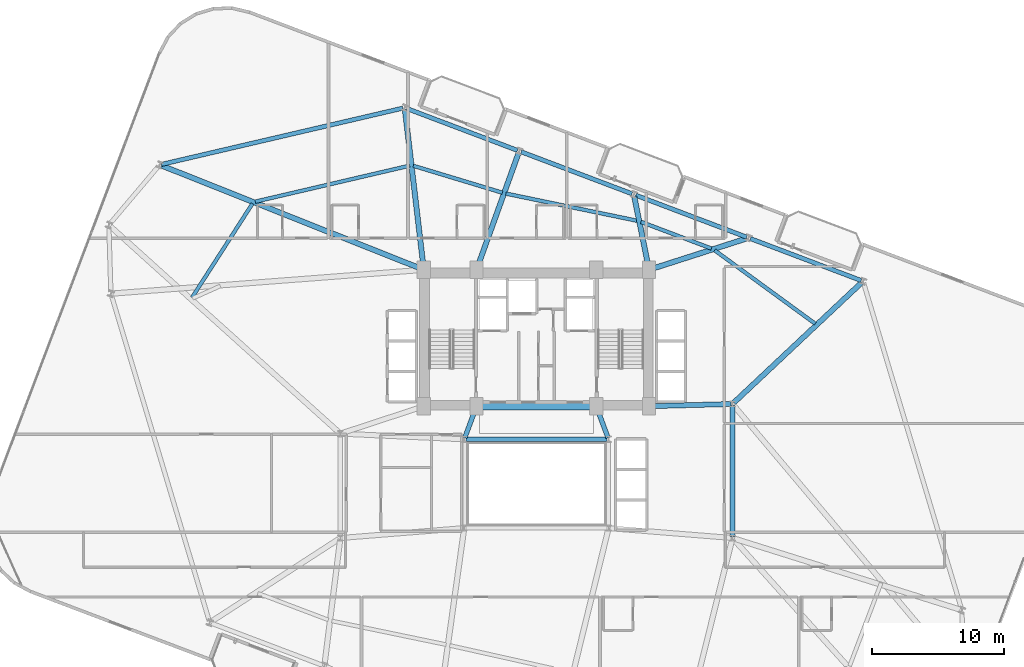
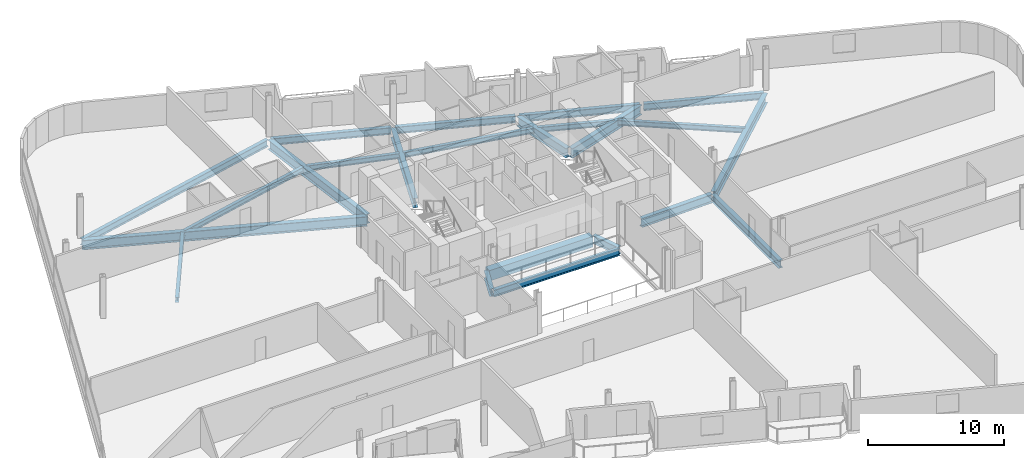
# One storey, part 9 of 25: 23 beams.
"""IFC4 building model written with IfcOpenShell, lengths in metres."""

from ifc_helpers import new_model, si_unit, direction, frame, origin, origin_2d, place, context, subcontext, project, spatial, rectangle, i_section, extrude, material, material_profile, profile_set, type_object, element, save


model = new_model("IFC4")

# Units and contexts
model_context = context("Model", 3, precision=1e-05, world=origin(), true_north=direction((0.0, 1.0)))
body_context = subcontext(model_context, "Body", "Model", "MODEL_VIEW")
ifc_project = project(units=[si_unit("LENGTHUNIT", "METRE"), si_unit("AREAUNIT", "SQUARE_METRE"), si_unit("VOLUMEUNIT", "CUBIC_METRE"), si_unit("PLANEANGLEUNIT", "RADIAN"), si_unit("MASSUNIT", "GRAM", prefix="KILO")], contexts=[model_context])

# Site, building, storey
site_placement = place(None, origin())
site = spatial("IfcSite", under=ifc_project, at=site_placement, CompositionType="ELEMENT")
building_placement = place(site_placement, origin())
building = spatial("IfcBuilding", under=site, at=building_placement, Name="Varnelok Gate Tower", CompositionType="ELEMENT")
storey_placement = place(building_placement, frame((0.0, 0.0, 91.0)))
storey = spatial("IfcBuildingStorey", under=building, at=storey_placement, Name="L22", CompositionType="ELEMENT", Elevation=91.0)

# Beams
ifc_material_1 = material(Name="Structural Steel ASTM A992 Grade 50", Category="steel")
ifc_material_profile_1 = material_profile(ifc_material_1, i_section(OverallWidth=0.280029296875, OverallDepth=0.462890625, WebThickness=0.0107421875, FlangeThickness=0.017333984375, FilletRadius=0.014892578125, at=origin_2d()), Name="W18X76")
ifc_profile_set_1 = profile_set([ifc_material_profile_1], Name="Structural Steel ASTM A992 Grade 50")
beam_type_1 = type_object("IfcBeamType", Name="BM-JST-W18X76", PredefinedType="JOIST", material=ifc_profile_set_1)
beam_1_placement = place(storey_placement, frame((60.24609375, 34.977783203125, -0.4814453125), z_axis=(-0.807571934506, 0.589769082437, 0.0), x_axis=(-0.589769082437, -0.807571934506, 0.0)))
element("IfcBeam", 1, at=beam_1_placement, inside=storey, type_object=beam_type_1, Name="L22 Sector Floor Joist 7", PredefinedType="JOIST", context=body_context, shape_type="SweptSolid", body=[
    extrude(i_section(OverallWidth=0.280029296875, OverallDepth=0.462890625, WebThickness=0.0107421875, FlangeThickness=0.017333984375, FilletRadius=0.014892578125, at=origin_2d()), origin(), (0.0, 0.0, 1.0), 9.39892578125),
])
beam_2_placement = place(storey_placement, frame((52.411865234375, 40.6533203125, -0.4814453125), z_axis=(-0.935227094529, 0.35404841711, 0.0), x_axis=(-0.35404841711, -0.935227094529, 0.0)))
element("IfcBeam", 2, at=beam_2_placement, inside=storey, type_object=beam_type_1, Name="L22 Sector Floor Joist 8", PredefinedType="JOIST", context=body_context, shape_type="SweptSolid", body=[
    extrude(i_section(OverallWidth=0.280029296875, OverallDepth=0.462890625, WebThickness=0.0107421875, FlangeThickness=0.017333984375, FilletRadius=0.014892578125, at=origin_2d()), origin(), (0.0, 0.0, 1.0), 5.686279296875),
])
beam_3_placement = place(storey_placement, frame((46.825927734375, 42.744384765625, -0.4814453125), z_axis=(-0.979223334547, 0.2027847654, 0.0), x_axis=(-0.2027847654, -0.979223334547, 0.0)))
element("IfcBeam", 3, at=beam_3_placement, inside=storey, type_object=beam_type_1, Name="L22 Sector Floor Joist 9", PredefinedType="JOIST", context=body_context, shape_type="SweptSolid", body=[
    extrude(i_section(OverallWidth=0.280029296875, OverallDepth=0.462890625, WebThickness=0.0107421875, FlangeThickness=0.017333984375, FilletRadius=0.014892578125, at=origin_2d()), origin(), (0.0, 0.0, 1.0), 10.138427734375),
])
beam_4_placement = place(storey_placement, frame((36.627197265625, 44.868896484375, -0.4814453125), z_axis=(-0.95727163238, 0.289190286561, 0.0), x_axis=(-0.289190286561, -0.95727163238, 0.0)))
element("IfcBeam", 4, at=beam_4_placement, inside=storey, type_object=beam_type_1, Name="L22 Sector Floor Joist 10", PredefinedType="JOIST", context=body_context, shape_type="SweptSolid", body=[
    extrude(i_section(OverallWidth=0.280029296875, OverallDepth=0.462890625, WebThickness=0.0107421875, FlangeThickness=0.017333984375, FilletRadius=0.014892578125, at=origin_2d()), origin(), (0.0, 0.0, 1.0), 7.024658203125),
])
beam_5_placement = place(storey_placement, frame((29.632080078125, 46.9091796875, -0.4814453125), z_axis=(-0.97387671054, -0.227077415581, 0.0), x_axis=(0.227077415581, -0.97387671054, 0.0)))
element("IfcBeam", 5, at=beam_5_placement, inside=storey, type_object=beam_type_1, Name="L22 Sector Floor Joist 11", PredefinedType="JOIST", context=body_context, shape_type="SweptSolid", body=[
    extrude(i_section(OverallWidth=0.280029296875, OverallDepth=0.462890625, WebThickness=0.0107421875, FlangeThickness=0.017333984375, FilletRadius=0.014892578125, at=origin_2d()), origin(), (0.0, 0.0, 1.0), 11.967529296875),
])
beam_6_placement = place(storey_placement, frame((17.76513671875, 44.042236328125, -0.4814453125), z_axis=(-0.541225979602, -0.840877184257, 0.0), x_axis=(0.840877184257, -0.541225979602, 0.0)))
element("IfcBeam", 6, at=beam_6_placement, inside=storey, type_object=beam_type_1, Name="L22 Sector Floor Joist 12", PredefinedType="JOIST", context=body_context, shape_type="SweptSolid", body=[
    extrude(i_section(OverallWidth=0.280029296875, OverallDepth=0.462890625, WebThickness=0.0107421875, FlangeThickness=0.017333984375, FilletRadius=0.014892578125, at=origin_2d()), origin(), (0.0, 0.0, 1.0), 8.428466796875),
])
ifc_material_2 = material(Name="Concrete C60/75", Category="concrete")
ifc_material_profile_2 = material_profile(ifc_material_2, rectangle(XDim=0.60009765625, YDim=0.949951171875, at=origin_2d()), Name="RC950X600")
ifc_profile_set_2 = profile_set([ifc_material_profile_2], Name="Concrete C60/75")
beam_type_2 = type_object("IfcBeamType", Name="BM-LNT-RC950", PredefinedType="LINTEL", material=ifc_profile_set_2)
beam_7_placement = place(storey_placement, frame((34.800048828125, 28.75, -0.72509765625), z_axis=(1.0, 0.0, 0.0), x_axis=(0.0, 1.0, 0.0)))
element("IfcBeam", 7, at=beam_7_placement, inside=storey, type_object=beam_type_2, Name="L22 Core-Atrium Spine Beam 7", PredefinedType="LINTEL", context=body_context, shape_type="SweptSolid", body=[
    extrude(rectangle(XDim=0.60009765625, YDim=0.949951171875, at=origin_2d()), origin(), (0.0, 0.0, 1.0), 8.800048828125),
])
ifc_material_profile_3 = material_profile(ifc_material_1, i_section(OverallWidth=0.35498046875, OverallDepth=0.696044921875, WebThickness=0.015380859375, FlangeThickness=0.02490234375, FilletRadius=0.02001953125, at=origin_2d()), Name="W27X146")
ifc_profile_set_3 = profile_set([ifc_material_profile_3], Name="Structural Steel ASTM A992 Grade 50")
beam_type_3 = type_object("IfcBeamType", Name="BM-PRI-W27X146", PredefinedType="BEAM", material=ifc_profile_set_3)
for number, where, z_axis, x_axis, name in (
    (8, (33.791748046875, 26.362548828125, -0.597900390625), (0.348719329408, 0.937227202602, 0.0), (-0.937227202602, 0.348719329408, 0.0), "L22 Core-Atrium Spine Beam 12"),
    (9, (44.608154296875, 26.362548828125, -0.597900390625), (-0.348719329408, 0.937227202602, 0.0), (-0.937227202602, -0.348719329408, 0.0), "L22 Core-Atrium Spine Beam 13"),
):
    element("IfcBeam", number, at=place(storey_placement, frame(where, z_axis=z_axis, x_axis=x_axis)), inside=storey, type_object=beam_type_3, Name=name, PredefinedType="BEAM", context=body_context, shape_type="SweptSolid", body=[
        extrude(i_section(OverallWidth=0.35498046875, OverallDepth=0.696044921875, WebThickness=0.015380859375, FlangeThickness=0.02490234375, FilletRadius=0.02001953125, at=origin_2d()), origin(), (0.0, 0.0, 1.0), 2.42724609375),
    ])
beam_8_placement = place(storey_placement, frame((54.0, 18.919921875, -0.597900390625), z_axis=(0.0, 1.0, 0.0), x_axis=(-1.0, 0.0, 0.0)))
element("IfcBeam", 10, at=beam_8_placement, inside=storey, type_object=beam_type_3, Name="L22 Core-Atrium Spine Beam 20", PredefinedType="BEAM", context=body_context, shape_type="SweptSolid", body=[
    extrude(i_section(OverallWidth=0.35498046875, OverallDepth=0.696044921875, WebThickness=0.015380859375, FlangeThickness=0.02490234375, FilletRadius=0.02001953125, at=origin_2d()), origin(), (0.0, 0.0, 1.0), 9.880126953125),
])
ifc_material_profile_4 = material_profile(ifc_material_1, i_section(OverallWidth=0.381103515625, OverallDepth=0.77294921875, WebThickness=0.0166015625, FlangeThickness=0.027099609375, FilletRadius=0.02197265625, at=origin_2d()), Name="W30X173")
ifc_profile_set_4 = profile_set([ifc_material_profile_4], Name="Structural Steel ASTM A992 Grade 50")
beam_type_4 = type_object("IfcBeamType", Name="BM-PRI-W30X173", PredefinedType="BEAM", material=ifc_profile_set_4)
beam_9_placement = place(storey_placement, frame((47.820068359375, 28.753173828125, -0.636474609375), z_axis=(0.999635880609, 0.026983443053, 0.0), x_axis=(-0.026983443053, 0.999635880609, 0.0)))
element("IfcBeam", 11, at=beam_9_placement, inside=storey, type_object=beam_type_4, Name="L22 Core-Atrium Spine Beam 19", PredefinedType="BEAM", context=body_context, shape_type="SweptSolid", body=[
    extrude(i_section(OverallWidth=0.381103515625, OverallDepth=0.77294921875, WebThickness=0.0166015625, FlangeThickness=0.027099609375, FilletRadius=0.02197265625, at=origin_2d()), origin(), (0.0, 0.0, 1.0), 6.06201171875),
])
ifc_material_profile_5 = material_profile(ifc_material_1, i_section(OverallWidth=0.39892578125, OverallDepth=0.85498046875, WebThickness=0.018310546875, FlangeThickness=0.029296875, FilletRadius=0.02392578125, at=origin_2d()), Name="W33X201")
ifc_profile_set_5 = profile_set([ifc_material_profile_5], Name="Structural Steel ASTM A992 Grade 50")
beam_type_5 = type_object("IfcBeamType", Name="BM-PRI-W33X201", PredefinedType="BEAM", material=ifc_profile_set_5)
beam_10_placement = place(storey_placement, frame((54.109375, 29.022705078125, -0.677490234375), z_axis=(0.728763782129, 0.684765178624, 0.0), x_axis=(-0.684765178624, 0.728763782129, 0.0)))
element("IfcBeam", 12, at=beam_10_placement, inside=storey, type_object=beam_type_5, Name="L22 Radial Floor Girder 9", PredefinedType="BEAM", context=body_context, shape_type="SweptSolid", body=[
    extrude(i_section(OverallWidth=0.39892578125, OverallDepth=0.85498046875, WebThickness=0.018310546875, FlangeThickness=0.029296875, FilletRadius=0.02392578125, at=origin_2d()), origin(), (0.0, 0.0, 1.0), 13.228515625),
])
beam_11_placement = place(storey_placement, frame((47.8427734375, 39.095703125, -0.677490234375), z_axis=(0.952189173648, 0.305509046656, 0.0), x_axis=(-0.305509046656, 0.952189173648, 0.0)))
element("IfcBeam", 13, at=beam_11_placement, inside=storey, type_object=beam_type_5, Name="L22 Radial Floor Girder 10", PredefinedType="BEAM", context=body_context, shape_type="SweptSolid", body=[
    extrude(i_section(OverallWidth=0.39892578125, OverallDepth=0.85498046875, WebThickness=0.018310546875, FlangeThickness=0.029296875, FilletRadius=0.02392578125, at=origin_2d()), origin(), (0.0, 0.0, 1.0), 7.585205078125),
])
beam_12_placement = place(storey_placement, frame((47.67041015625, 39.197021484375, -0.677490234375), z_axis=(-0.19708105208, 0.980387198463, 0.0), x_axis=(-0.980387198463, -0.19708105208, 0.0)))
element("IfcBeam", 14, at=beam_12_placement, inside=storey, type_object=beam_type_5, Name="L22 Radial Floor Girder 11", PredefinedType="BEAM", context=body_context, shape_type="SweptSolid", body=[
    extrude(i_section(OverallWidth=0.39892578125, OverallDepth=0.85498046875, WebThickness=0.018310546875, FlangeThickness=0.029296875, FilletRadius=0.02392578125, at=origin_2d()), origin(), (0.0, 0.0, 1.0), 5.497802734375),
])
beam_13_placement = place(storey_placement, frame((34.730712890625, 39.191162109375, -0.677490234375), z_axis=(0.338850703631, 0.940840156801, 0.0), x_axis=(-0.940840156801, 0.338850703631, 0.0)))
element("IfcBeam", 15, at=beam_13_placement, inside=storey, type_object=beam_type_5, Name="L22 Radial Floor Girder 12", PredefinedType="BEAM", context=body_context, shape_type="SweptSolid", body=[
    extrude(i_section(OverallWidth=0.39892578125, OverallDepth=0.85498046875, WebThickness=0.018310546875, FlangeThickness=0.029296875, FilletRadius=0.02392578125, at=origin_2d()), origin(), (0.0, 0.0, 1.0), 9.222412109375),
])
beam_14_placement = place(storey_placement, frame((30.682373046875, 39.198974609375, -0.677490234375), z_axis=(-0.117226632165, 0.993105189147, 0.0), x_axis=(-0.993105189147, -0.117226632165, 0.0)))
element("IfcBeam", 16, at=beam_14_placement, inside=storey, type_object=beam_type_5, Name="L22 Radial Floor Girder 13", PredefinedType="BEAM", context=body_context, shape_type="SweptSolid", body=[
    extrude(i_section(OverallWidth=0.39892578125, OverallDepth=0.85498046875, WebThickness=0.018310546875, FlangeThickness=0.029296875, FilletRadius=0.02392578125, at=origin_2d()), origin(), (0.0, 0.0, 1.0), 12.018798828125),
])
beam_15_placement = place(storey_placement, frame((30.560546875, 39.10546875, -0.677490234375), z_axis=(-0.929316441243, 0.369284378271, 0.0), x_axis=(-0.369284378271, -0.929316441243, 0.0)))
element("IfcBeam", 17, at=beam_15_placement, inside=storey, type_object=beam_type_5, Name="L22 Radial Floor Girder 14", PredefinedType="BEAM", context=body_context, shape_type="SweptSolid", body=[
    extrude(i_section(OverallWidth=0.39892578125, OverallDepth=0.85498046875, WebThickness=0.018310546875, FlangeThickness=0.029296875, FilletRadius=0.02392578125, at=origin_2d()), origin(), (0.0, 0.0, 1.0), 21.153076171875),
])
ifc_material_profile_6 = material_profile(ifc_material_1, i_section(OverallWidth=0.323974609375, OverallDepth=0.611083984375, WebThickness=0.0126953125, FlangeThickness=0.01904296875, FilletRadius=0.01806640625, at=origin_2d()), Name="W24X104")
ifc_profile_set_6 = profile_set([ifc_material_profile_6], Name="Structural Steel ASTM A992 Grade 50")
beam_type_6 = type_object("IfcBeamType", Name="BM-SPN-W24X104", PredefinedType="SPANDREL", material=ifc_profile_set_6)
beam_16_placement = place(storey_placement, frame((33.8701171875, 26.25, -0.555419921875), z_axis=(1.0, 0.0, 0.0), x_axis=(0.0, 1.0, 0.0)))
element("IfcBeam", 18, at=beam_16_placement, inside=storey, type_object=beam_type_6, Name="L22 Core-Atrium Spine Beam 9", PredefinedType="SPANDREL", context=body_context, shape_type="SweptSolid", body=[
    extrude(i_section(OverallWidth=0.323974609375, OverallDepth=0.611083984375, WebThickness=0.0126953125, FlangeThickness=0.01904296875, FilletRadius=0.01806640625, at=origin_2d()), origin(), (0.0, 0.0, 1.0), 10.659912109375),
])
beam_17_placement = place(storey_placement, frame((63.71875, 38.23681640625, -0.555419921875), z_axis=(-0.935220356141, 0.354066216208, 0.0), x_axis=(-0.354066216208, -0.935220356141, 0.0)))
element("IfcBeam", 19, at=beam_17_placement, inside=storey, type_object=beam_type_6, Name="L22 Perimeter Spandrel Beam 9", PredefinedType="SPANDREL", context=body_context, shape_type="SweptSolid", body=[
    extrude(i_section(OverallWidth=0.323974609375, OverallDepth=0.611083984375, WebThickness=0.0126953125, FlangeThickness=0.01904296875, FilletRadius=0.01806640625, at=origin_2d()), origin(), (0.0, 0.0, 1.0), 8.9501953125),
])
for number, where, z_axis, x_axis, name in (
    (20, (55.06787109375, 41.511962890625, -0.555419921875), (-0.935216936382, 0.354075248928, 0.0), (-0.354075248928, -0.935216936382, 0.0), "L22 Perimeter Spandrel Beam 10"),
    (21, (46.4169921875, 44.787109375, -0.555419921875), (-0.935225969099, 0.354051389947, 0.0), (-0.354051389947, -0.935225969099, 0.0), "L22 Perimeter Spandrel Beam 11"),
):
    element("IfcBeam", number, at=place(storey_placement, frame(where, z_axis=z_axis, x_axis=x_axis)), inside=storey, type_object=beam_type_6, Name=name, PredefinedType="SPANDREL", context=body_context, shape_type="SweptSolid", body=[
        extrude(i_section(OverallWidth=0.323974609375, OverallDepth=0.611083984375, WebThickness=0.0126953125, FlangeThickness=0.01904296875, FilletRadius=0.01806640625, at=origin_2d()), origin(), (0.0, 0.0, 1.0), 8.949951171875),
    ])
beam_18_placement = place(storey_placement, frame((37.766357421875, 48.06201171875, -0.555419921875), z_axis=(-0.935220356141, 0.354066216208, 0.0), x_axis=(-0.354066216208, -0.935220356141, 0.0)))
element("IfcBeam", 22, at=beam_18_placement, inside=storey, type_object=beam_type_6, Name="L22 Perimeter Spandrel Beam 12", PredefinedType="SPANDREL", context=body_context, shape_type="SweptSolid", body=[
    extrude(i_section(OverallWidth=0.323974609375, OverallDepth=0.611083984375, WebThickness=0.0126953125, FlangeThickness=0.01904296875, FilletRadius=0.01806640625, at=origin_2d()), origin(), (0.0, 0.0, 1.0), 8.9501953125),
])
beam_19_placement = place(storey_placement, frame((29.109619140625, 51.25, -0.555419921875), z_axis=(-0.973877429001, -0.227074334266, 0.0), x_axis=(0.227074334266, -0.973877429001, 0.0)))
element("IfcBeam", 23, at=beam_19_placement, inside=storey, type_object=beam_type_6, Name="L22 Perimeter Spandrel Beam 13", PredefinedType="SPANDREL", context=body_context, shape_type="SweptSolid", body=[
    extrude(i_section(OverallWidth=0.323974609375, OverallDepth=0.611083984375, WebThickness=0.0126953125, FlangeThickness=0.01904296875, FilletRadius=0.01806640625, at=origin_2d()), origin(), (0.0, 0.0, 1.0), 18.6884765625),
])

save(model, "model.ifc")
